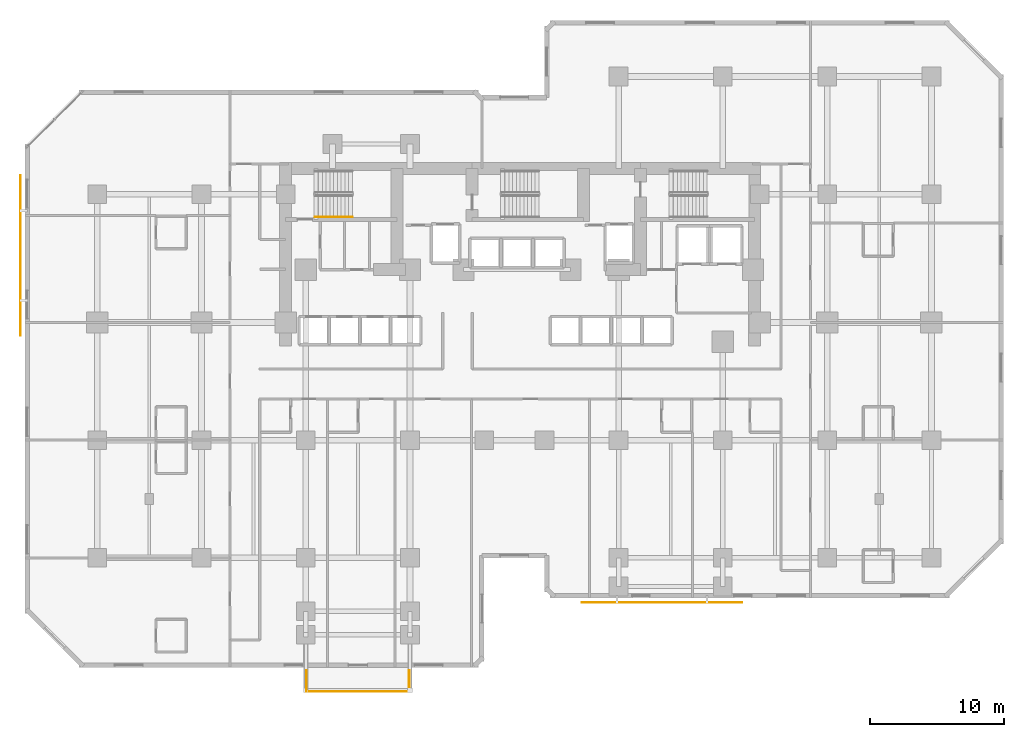
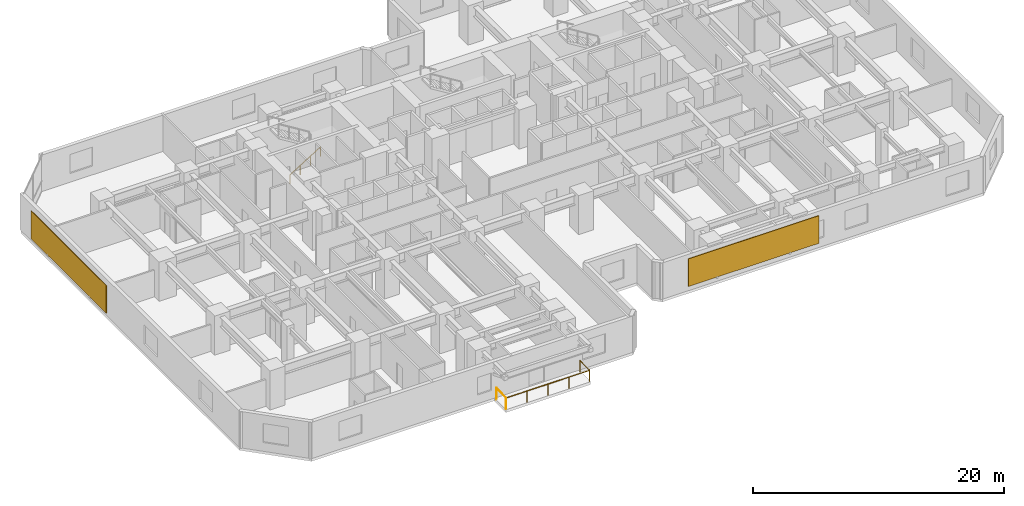
# One storey, part 11 of 12: 3 railings, 2 shading devices.
"""IFC4 building model written with IfcOpenShell, lengths in metres."""

from ifc_helpers import new_model, si_unit, direction, frame, origin, origin_2d, place, context, subcontext, project, spatial, rectangle, circle, extrude, material, layer, layer_set, type_object, element, save


model = new_model("IFC4")

# Units and contexts
model_context = context("Model", 3, precision=1e-05, world=origin(), true_north=direction((0.0, 1.0)))
body_context = subcontext(model_context, "Body", "Model", "MODEL_VIEW")
ifc_project = project(units=[si_unit("LENGTHUNIT", "METRE"), si_unit("AREAUNIT", "SQUARE_METRE"), si_unit("VOLUMEUNIT", "CUBIC_METRE"), si_unit("PLANEANGLEUNIT", "RADIAN"), si_unit("MASSUNIT", "GRAM", prefix="KILO")], contexts=[model_context])

# Site, building, storey
site_placement = place(None, origin())
site = spatial("IfcSite", under=ifc_project, at=site_placement, CompositionType="ELEMENT")
building_placement = place(site_placement, origin())
building = spatial("IfcBuilding", under=site, at=building_placement, Name="Kestravale Grand Hotel", CompositionType="ELEMENT")
storey_placement = place(building_placement, frame((0.0, 0.0, 56.39990234375)))
storey = spatial("IfcBuildingStorey", under=building, at=storey_placement, Name="L13", CompositionType="ELEMENT", Elevation=56.39990234375)

# Railings
ifc_material_1 = material(Name="Champagne-bronze stainless steel and laminated glass guard", Category="steel")
railing_type_1 = type_object("IfcRailingType", Name="RL-EXT-1100", PredefinedType="GUARDRAIL", material=ifc_material_1)
railing_1_placement = place(storey_placement, frame((23.4599609375, 1.2099609375, 0.0)))
element("IfcRailing", 1, at=railing_1_placement, inside=storey, type_object=railing_type_1, Name="L13 outdoor terrace guard 1", PredefinedType="GUARDRAIL", context=body_context, shape_type="SweptSolid", body=[
    extrude(circle(Radius=0.02392578125, at=origin_2d()), frame((0.0, 0.0, 1.09619140625), z_axis=(0.0, 1.0, 0.0), x_axis=(-1.0, 0.0, 0.0)), (0.0, 0.0, 1.0), 1.570068359375),
    extrude(circle(Radius=0.02099609375, at=origin_2d()), origin(), (0.0, 0.0, 1.0), 1.072021484375),
    extrude(circle(Radius=0.02099609375, at=origin_2d()), frame((0.0, 1.570068359375, 0.0)), (0.0, 0.0, 1.0), 1.072021484375),
])
railing_2_placement = place(storey_placement, frame((31.139892578125, 2.780029296875, 0.0)))
element("IfcRailing", 2, at=railing_2_placement, inside=storey, type_object=railing_type_1, Name="L13 outdoor terrace guard 2", PredefinedType="GUARDRAIL", context=body_context, shape_type="SweptSolid", body=[
    extrude(circle(Radius=0.02392578125, at=origin_2d()), frame((0.0, 0.0, 1.09619140625), z_axis=(0.0, -1.0, 0.0), x_axis=(1.0, 0.0, 0.0)), (0.0, 0.0, 1.0), 1.570068359375),
    extrude(circle(Radius=0.02392578125, at=origin_2d()), frame((0.0, -1.570068359375, 1.09619140625), z_axis=(-1.0, 0.0, 0.0), x_axis=(0.0, -1.0, 0.0)), (0.0, 0.0, 1.0), 7.679931640625),
    extrude(circle(Radius=0.02099609375, at=origin_2d()), origin(), (0.0, 0.0, 1.0), 1.072021484375),
    extrude(circle(Radius=0.02099609375, at=origin_2d()), frame((0.0, -1.570068359375, 0.0)), (0.0, 0.0, 1.0), 1.072021484375),
    extrude(circle(Radius=0.02099609375, at=origin_2d()), frame((-1.919921875, -1.570068359375, 0.0)), (0.0, 0.0, 1.0), 1.072021484375),
    extrude(circle(Radius=0.02099609375, at=origin_2d()), frame((-3.83984375, -1.570068359375, 0.0)), (0.0, 0.0, 1.0), 1.072021484375),
    extrude(circle(Radius=0.02099609375, at=origin_2d()), frame((-5.760009765625, -1.570068359375, 0.0)), (0.0, 0.0, 1.0), 1.072021484375),
    extrude(circle(Radius=0.02099609375, at=origin_2d()), frame((-7.679931640625, -1.570068359375, 0.0)), (0.0, 0.0, 1.0), 1.072021484375),
])
ifc_material_2 = material(Name="Brushed stainless steel wall handrail", Category="steel")
railing_type_2 = type_object("IfcRailingType", Name="RL-ST-HND900", PredefinedType="HANDRAIL", material=ifc_material_2)
railing_3_placement = place(storey_placement, frame((24.080078125, 36.699951171875, 0.1728515625)))
element("IfcRailing", 3, at=railing_3_placement, inside=storey, type_object=railing_type_2, Name="L13 ST-1 stair handrail 1", PredefinedType="HANDRAIL", context=body_context, shape_type="SweptSolid", body=[
    extrude(circle(Radius=0.02392578125, at=origin_2d()), frame((0.0, 0.0, 0.8759765625), z_axis=(0.851069175582, 0.0, 0.525053576669), x_axis=(0.0, 1.0, 0.0)), (0.0, 0.0, 1.0), 3.289794921875),
    extrude(circle(Radius=0.02099609375, at=origin_2d()), origin(), (0.0, 0.0, 1.0), 0.851806640625),
    extrude(circle(Radius=0.02099609375, at=origin_2d()), frame((0.933349609375, 0.0, 0.57568359375)), (0.0, 0.0, 1.0), 0.851806640625),
    extrude(circle(Radius=0.02099609375, at=origin_2d()), frame((1.866455078125, 0.0, 1.151611328125)), (0.0, 0.0, 1.0), 0.851806640625),
    extrude(circle(Radius=0.02099609375, at=origin_2d()), frame((2.7998046875, 0.0, 1.727294921875)), (0.0, 0.0, 1.0), 0.851806640625),
])

# Shading devices
ifc_material_3 = material(Name="Perforated champagne-bronze aluminium and ceramic solar screen", Category="aluminium")
ifc_layer = layer(ifc_material_3, 0.06494140625)
ifc_layer_set = layer_set([ifc_layer], Name="SHD-SCR-CHEV")
shading_device_type = type_object("IfcShadingDeviceType", Name="SHD-SCR-CHEV", PredefinedType="USERDEFINED", material=ifc_layer_set)
for number, where, z_axis, x_axis, name in (
    (4, (50.050048828125, 7.860107421875, 0.7001953125), (0.0, 0.0, 1.0), (1.0, 0.0, 0.0), "L13 Perforated bronze ceramic chevron solar screen SCR-L13-07"),
    (5, (2.06005859375, 33.800048828125, 0.7001953125), (0.0, 0.0, 1.0), (0.0, -1.0, 0.0), "L13 Perforated bronze ceramic chevron solar screen SCR-L13-19"),
):
    element("IfcShadingDevice", number, at=place(storey_placement, frame(where, z_axis=z_axis, x_axis=x_axis)), inside=storey, type_object=shading_device_type, Name=name, ObjectType="SCREEN", PredefinedType="USERDEFINED", context=body_context, shape_type="SweptSolid", body=[
        extrude(rectangle(XDim=12.0, YDim=0.06494140625, at=origin_2d()), origin(), (0.0, 0.0, 1.0), 2.68994140625),
    ])

save(model, "model.ifc")
